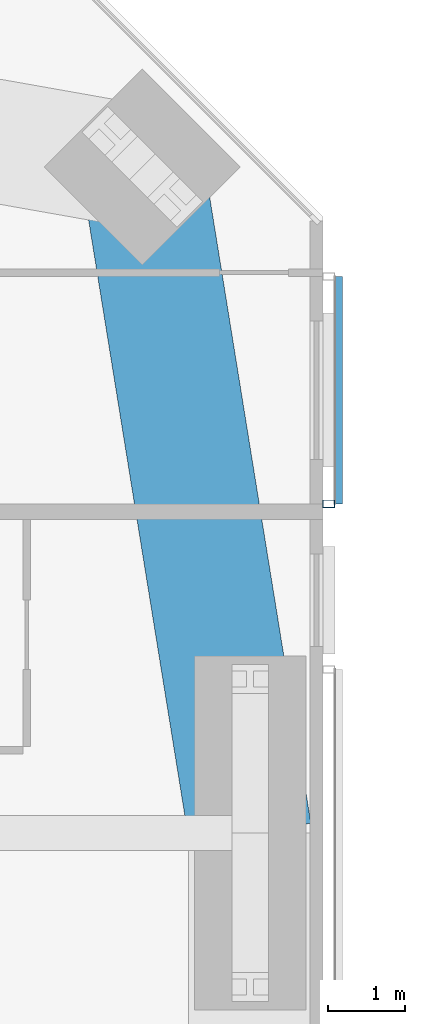
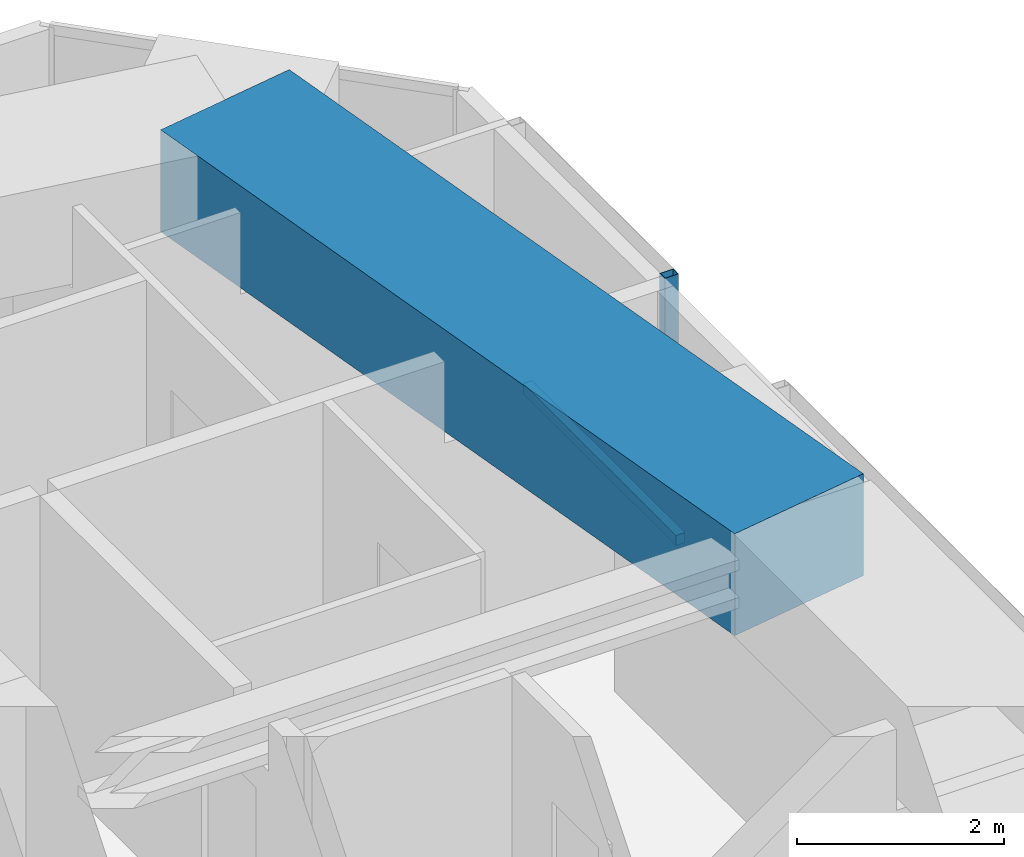
# One storey, part 9 of 23: 2 members, 1 beam, 1 element without a shape of its own.
"""IFC4 building model written with IfcOpenShell, lengths in metres."""

from ifc_helpers import new_model, si_unit, direction, frame, origin, origin_2d, place, context, subcontext, project, spatial, rectangle, hollow_rectangle, extrude, material, material_profile, profile_set, type_object, element, aggregate, save


model = new_model("IFC4")

# Units and contexts
model_context = context("Model", 3, precision=1e-05, world=origin(), true_north=direction((0.0, 1.0)))
body_context = subcontext(model_context, "Body", "Model", "MODEL_VIEW")
ifc_project = project(units=[si_unit("LENGTHUNIT", "METRE"), si_unit("AREAUNIT", "SQUARE_METRE"), si_unit("VOLUMEUNIT", "CUBIC_METRE"), si_unit("PLANEANGLEUNIT", "RADIAN"), si_unit("MASSUNIT", "GRAM", prefix="KILO")], contexts=[model_context])

# Site, building, storey
site_placement = place(None, origin())
site = spatial("IfcSite", under=ifc_project, at=site_placement, CompositionType="ELEMENT")
building_placement = place(site_placement, origin())
building = spatial("IfcBuilding", under=site, at=building_placement, Name="Jalousie Tower", CompositionType="ELEMENT")
storey_placement = place(building_placement, frame((0.0, 0.0, 171.10009765625)))
storey = spatial("IfcBuildingStorey", under=building, at=storey_placement, Name="L46", CompositionType="ELEMENT", Elevation=171.10009765625)

# Beam
ifc_material_1 = material(Name="Concrete f'c 40 MPa", Category="concrete")
ifc_material_profile_1 = material_profile(ifc_material_1, rectangle(XDim=1.60009765625, YDim=1.199951171875, at=origin_2d()), Name="RC 1600x1200")
ifc_profile_set_1 = profile_set([ifc_material_profile_1], Name="Concrete f'c 40 MPa")
beam_type = type_object("IfcBeamType", Name="RC BEAM 1600x1200", PredefinedType="BEAM", material=ifc_profile_set_1)
beam_placement = place(storey_placement, frame((52.050048828125, 25.0, 2.75), z_axis=(-0.159567878256, 0.987186959106, 0.0), x_axis=(-0.987186959106, -0.159567878256, 0.0)))
element("IfcBeam", 1, at=beam_placement, inside=storey, type_object=beam_type, Name="Edge band beam 07-08 under L47", PredefinedType="BEAM", context=body_context, shape_type="SweptSolid", body=[
    extrude(rectangle(XDim=1.60009765625, YDim=1.199951171875, at=origin_2d()), origin(), (0.0, 0.0, 1.0), 8.763916015625),
])

# Curtain wall, members
ifc_material_2 = material(Name="Perforated aluminium sheet", Category="aluminium")
curtain_wall_type = type_object("IfcCurtainWallType", Name="SOLAR SCREEN SS-1", PredefinedType="USERDEFINED", material=ifc_material_2)
curtain_wall_placement = place(storey_placement, origin())
curtain_wall = element("IfcCurtainWall", 2, at=curtain_wall_placement, inside=storey, type_object=curtain_wall_type, Name="Solar screen L46", ObjectType="SOLAR SCREEN SS-1", PredefinedType="USERDEFINED")
ifc_material_3 = material(Name="Steel ASTM A500 Grade C", Category="steel")
ifc_material_profile_2 = material_profile(ifc_material_3, hollow_rectangle(XDim=0.1015625, YDim=0.15234375, WallThickness=0.00634765625, at=origin_2d()), Name="HSS6X4X1/4")
ifc_profile_set_2 = profile_set([ifc_material_profile_2], Name="Steel ASTM A500 Grade C")
member_type_1 = type_object("IfcMemberType", Name="SOLAR SCREEN SS-1 MULLION", PredefinedType="MULLION", material=ifc_profile_set_2)
member_1_placement = place(storey_placement, frame((53.0712890625, 29.27490234375, -0.1201171875), z_axis=(0.0, 0.0, 1.0), x_axis=(0.0, 1.0, 0.0)))
member_1 = element("IfcMember", 3, at=member_1_placement, type_object=member_type_1, Name="SS1 post 1", PredefinedType="MULLION", context=body_context, shape_type="SweptSolid", body=[
    extrude(hollow_rectangle(XDim=0.1015625, YDim=0.15234375, WallThickness=0.00634765625, at=origin_2d()), origin(), (0.0, 0.0, 1.0), 3.22998046875),
])
ifc_material_4 = material(Name="Extruded aluminium screen rail", Category="aluminium")
ifc_material_profile_3 = material_profile(ifc_material_4, rectangle(XDim=0.1015625, YDim=0.1201171875, at=origin_2d()), Name="RAIL 102x120")
ifc_profile_set_3 = profile_set([ifc_material_profile_3], Name="Extruded aluminium screen rail")
member_type_2 = type_object("IfcMemberType", Name="SOLAR SCREEN SS-1 TRANSOM", PredefinedType="USERDEFINED", material=ifc_profile_set_3)
member_2_placement = place(storey_placement, frame((53.1982421875, 29.27490234375, -0.06005859375), z_axis=(0.0, 1.0, 0.0), x_axis=(-1.0, 0.0, 0.0)))
member_2 = element("IfcMember", 4, at=member_2_placement, type_object=member_type_2, Name="SS1 rail", ObjectType="TRANSOM", PredefinedType="USERDEFINED", context=body_context, shape_type="SweptSolid", body=[
    extrude(rectangle(XDim=0.1015625, YDim=0.1201171875, at=origin_2d()), origin(), (0.0, 0.0, 1.0), 2.953857421875),
])
aggregate(curtain_wall, [member_1, member_2])

save(model, "model.ifc")
